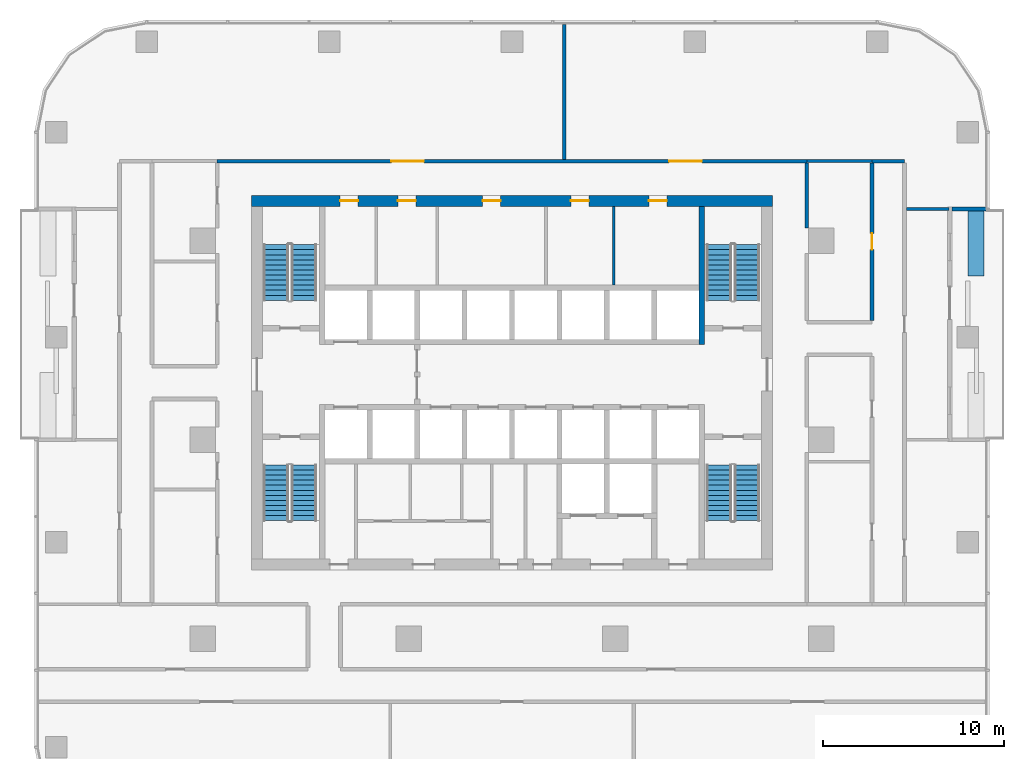
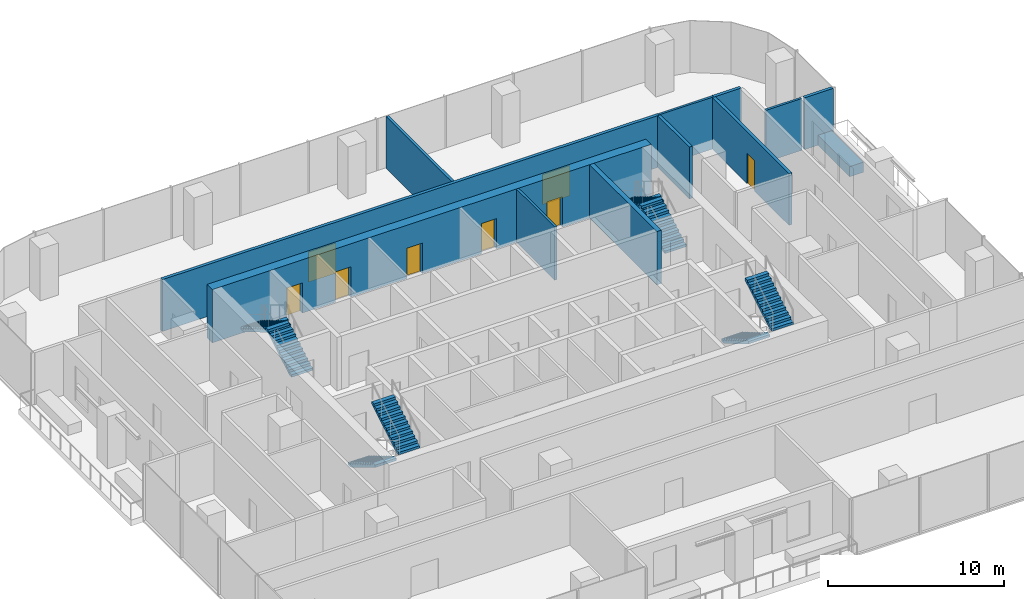
# One storey, part 10 of 14: 12 walls, 8 doors, 8 stair flights, 8 openings, 4 elements without a shape of their own.
"""IFC4 building model written with IfcOpenShell, lengths in metres."""

from ifc_helpers import new_model, si_unit, direction, frame, frame_2d, origin, place, context, subcontext, project, spatial, polyline, rectangle, outline, extrude, material, layer, layer_set, type_object, element, fill, aggregate, save


model = new_model("IFC4")

# Units and contexts
model_context = context("Model", 3, precision=1e-05, world=origin(), true_north=direction((0.0, 1.0)))
body_context = subcontext(model_context, "Body", "Model", "MODEL_VIEW")
ifc_project = project(units=[si_unit("LENGTHUNIT", "METRE"), si_unit("AREAUNIT", "SQUARE_METRE"), si_unit("VOLUMEUNIT", "CUBIC_METRE"), si_unit("PLANEANGLEUNIT", "RADIAN"), si_unit("MASSUNIT", "GRAM", prefix="KILO")], contexts=[model_context])

# Site, building, storey
site_placement = place(None, origin())
site = spatial("IfcSite", under=ifc_project, at=site_placement, CompositionType="ELEMENT")
building_placement = place(site_placement, origin())
building = spatial("IfcBuilding", under=site, at=building_placement, Name="Mopane Tessera Tower", CompositionType="ELEMENT")
storey_placement = place(building_placement, frame((0.0, 0.0, 161.0)))
storey = spatial("IfcBuildingStorey", under=building, at=storey_placement, Name="L32", CompositionType="ELEMENT", Elevation=161.0)

# Wall
ifc_material_1 = material(Name="Fire-rated gypsum board partition")
ifc_layer_1 = layer(ifc_material_1, 0.14990234375)
ifc_layer_set_1 = layer_set([ifc_layer_1], Name="Fire-rated gypsum board partition")
wall_type_1 = type_object("IfcWallType", Name="Core room partition 150 mm", PredefinedType="PARTITIONING", material=ifc_layer_set_1)
wall_1_placement = place(storey_placement, frame((5.625, 8.550048828125, 0.0), z_axis=(0.0, 0.0, 1.0), x_axis=(0.0, 1.0, 0.0)))
element("IfcWall", 1, at=wall_1_placement, inside=storey, type_object=wall_type_1, Name="L32 Room partition", PredefinedType="PARTITIONING", context=body_context, shape_type="SweptSolid", body=[
    extrude(rectangle(XDim=4.349853515625, YDim=0.14990234375, at=frame_2d((2.1748046875, 0.0))), origin(), (0.0, 0.0, 1.0), 3.699951171875),
])

# Wall, openings, doors
ifc_material_2 = material(Name="Concrete C70/85", Category="concrete")
ifc_layer_2 = layer(ifc_material_2, 0.60009765625)
ifc_layer_set_2 = layer_set([ifc_layer_2], Name="Concrete C70/85")
wall_type_2 = type_object("IfcWallType", Name="Core shear wall 600 mm", PredefinedType="SHEAR", material=ifc_layer_set_2)
wall_2_placement = place(storey_placement, frame((-14.39990234375, 13.199951171875, 0.0), z_axis=(0.0, 0.0, 1.0), x_axis=(1.0, 0.0, 0.0)))
wall_2 = element("IfcWall", 2, at=wall_2_placement, inside=storey, type_object=wall_type_2, Name="L32 Core wall north", PredefinedType="SHEAR", context=body_context, shape_type="SweptSolid", body=[
    extrude(rectangle(XDim=28.7998046875, YDim=0.60009765625, at=frame_2d((14.39990234375, 0.0))), origin(), (0.0, 0.0, 1.0), 3.699951171875),
])
opening_1_placement = place(wall_2_placement, frame((4.89990234375, 0.0, 0.0)))
opening_1 = element("IfcOpeningElement", 3, at=opening_1_placement, cuts=wall_2, Name="Opening RD1", PredefinedType="OPENING", context=body_context, shape_type="SweptSolid", body=[
    extrude(rectangle(XDim=1.0, YDim=2.10009765625, at=frame_2d((0.5, 1.050048828125))), frame((0.0, 0.31201171875, 0.0), z_axis=(0.0, -1.0, 0.0), x_axis=(1.0, 0.0, 0.0)), (0.0, 0.0, 1.0), 0.6240234375),
])
opening_2_placement = place(wall_2_placement, frame((8.08740234375, 0.0, 0.0)))
opening_2 = element("IfcOpeningElement", 4, at=opening_2_placement, cuts=wall_2, Name="Opening RD1", PredefinedType="OPENING", context=body_context, shape_type="SweptSolid", body=[
    extrude(rectangle(XDim=1.0, YDim=2.10009765625, at=frame_2d((0.5, 1.050048828125))), frame((0.0, 0.31201171875, 0.0), z_axis=(0.0, -1.0, 0.0), x_axis=(1.0, 0.0, 0.0)), (0.0, 0.0, 1.0), 0.6240234375),
])
opening_3_placement = place(wall_2_placement, frame((12.77490234375, 0.0, 0.0)))
opening_3 = element("IfcOpeningElement", 5, at=opening_3_placement, cuts=wall_2, Name="Opening RD1", PredefinedType="OPENING", context=body_context, shape_type="SweptSolid", body=[
    extrude(rectangle(XDim=1.0, YDim=2.10009765625, at=frame_2d((0.5, 1.050048828125))), frame((0.0, 0.31201171875, 0.0), z_axis=(0.0, -1.0, 0.0), x_axis=(1.0, 0.0, 0.0)), (0.0, 0.0, 1.0), 0.6240234375),
])
opening_4_placement = place(wall_2_placement, frame((17.64990234375, 0.0, 0.0)))
opening_4 = element("IfcOpeningElement", 6, at=opening_4_placement, cuts=wall_2, Name="Opening RD1", PredefinedType="OPENING", context=body_context, shape_type="SweptSolid", body=[
    extrude(rectangle(XDim=1.0, YDim=2.10009765625, at=frame_2d((0.5, 1.050048828125))), frame((0.0, 0.31201171875, 0.0), z_axis=(0.0, -1.0, 0.0), x_axis=(1.0, 0.0, 0.0)), (0.0, 0.0, 1.0), 0.6240234375),
])
opening_5_placement = place(wall_2_placement, frame((21.96240234375, 0.0, 0.0)))
opening_5 = element("IfcOpeningElement", 7, at=opening_5_placement, cuts=wall_2, Name="Opening RD1", PredefinedType="OPENING", context=body_context, shape_type="SweptSolid", body=[
    extrude(rectangle(XDim=1.0, YDim=2.10009765625, at=frame_2d((0.5, 1.050048828125))), frame((0.0, 0.31201171875, 0.0), z_axis=(0.0, -1.0, 0.0), x_axis=(1.0, 0.0, 0.0)), (0.0, 0.0, 1.0), 0.6240234375),
])
ifc_material_3 = material(Name="Timber door", Category="wood")
door_type_1 = type_object("IfcDoorType", Name="Core room door 1000 x 2100", OperationType="SINGLE_SWING_LEFT", PredefinedType="DOOR", material=ifc_material_3)
door_1_placement = place(opening_1_placement, origin())
door_1 = element("IfcDoor", 8, at=door_1_placement, inside=storey, type_object=door_type_1, Name="L32 Room door", OperationType="SINGLE_SWING_LEFT", OverallHeight=2.10009765625, OverallWidth=1.0, PredefinedType="DOOR", context=body_context, shape_type="SweptSolid", body=[
    extrude(rectangle(XDim=1.0, YDim=2.10009765625, at=frame_2d((0.5, 1.050048828125))), frame((0.0, 0.02490234375, 0.0), z_axis=(0.0, -1.0, 0.0), x_axis=(1.0, 0.0, 0.0)), (0.0, 0.0, 1.0), 0.050048828125),
])
fill(opening_1, door_1)
door_2_placement = place(opening_2_placement, origin())
door_2 = element("IfcDoor", 9, at=door_2_placement, inside=storey, type_object=door_type_1, Name="L32 Room door", OperationType="SINGLE_SWING_LEFT", OverallHeight=2.10009765625, OverallWidth=1.0, PredefinedType="DOOR", context=body_context, shape_type="SweptSolid", body=[
    extrude(rectangle(XDim=1.0, YDim=2.10009765625, at=frame_2d((0.5, 1.050048828125))), frame((0.0, 0.02490234375, 0.0), z_axis=(0.0, -1.0, 0.0), x_axis=(1.0, 0.0, 0.0)), (0.0, 0.0, 1.0), 0.050048828125),
])
fill(opening_2, door_2)
door_3_placement = place(opening_3_placement, origin())
door_3 = element("IfcDoor", 10, at=door_3_placement, inside=storey, type_object=door_type_1, Name="L32 Room door", OperationType="SINGLE_SWING_LEFT", OverallHeight=2.10009765625, OverallWidth=1.0, PredefinedType="DOOR", context=body_context, shape_type="SweptSolid", body=[
    extrude(rectangle(XDim=1.0, YDim=2.10009765625, at=frame_2d((0.5, 1.050048828125))), frame((0.0, 0.02490234375, 0.0), z_axis=(0.0, -1.0, 0.0), x_axis=(1.0, 0.0, 0.0)), (0.0, 0.0, 1.0), 0.050048828125),
])
fill(opening_3, door_3)
door_4_placement = place(opening_4_placement, origin())
door_4 = element("IfcDoor", 11, at=door_4_placement, inside=storey, type_object=door_type_1, Name="L32 Room door", OperationType="SINGLE_SWING_LEFT", OverallHeight=2.10009765625, OverallWidth=1.0, PredefinedType="DOOR", context=body_context, shape_type="SweptSolid", body=[
    extrude(rectangle(XDim=1.0, YDim=2.10009765625, at=frame_2d((0.5, 1.050048828125))), frame((0.0, 0.02490234375, 0.0), z_axis=(0.0, -1.0, 0.0), x_axis=(1.0, 0.0, 0.0)), (0.0, 0.0, 1.0), 0.050048828125),
])
fill(opening_4, door_4)
door_5_placement = place(opening_5_placement, origin())
door_5 = element("IfcDoor", 12, at=door_5_placement, inside=storey, type_object=door_type_1, Name="L32 Room door", OperationType="SINGLE_SWING_LEFT", OverallHeight=2.10009765625, OverallWidth=1.0, PredefinedType="DOOR", context=body_context, shape_type="SweptSolid", body=[
    extrude(rectangle(XDim=1.0, YDim=2.10009765625, at=frame_2d((0.5, 1.050048828125))), frame((0.0, 0.02490234375, 0.0), z_axis=(0.0, -1.0, 0.0), x_axis=(1.0, 0.0, 0.0)), (0.0, 0.0, 1.0), 0.050048828125),
])
fill(opening_5, door_5)

# Walls
ifc_material_4 = material(Name="Concrete C60/75", Category="concrete")
ifc_layer_3 = layer(ifc_material_4, 0.300048828125)
ifc_layer_set_3 = layer_set([ifc_layer_3], Name="Concrete C60/75")
wall_type_3 = type_object("IfcWallType", Name="Core spine wall 300 mm", PredefinedType="SHEAR", material=ifc_layer_set_3)
wall_3_placement = place(storey_placement, frame((10.5, 5.25, 0.0), z_axis=(0.0, 0.0, 1.0), x_axis=(0.0, 1.0, 0.0)))
element("IfcWall", 13, at=wall_3_placement, inside=storey, type_object=wall_type_3, Name="L32 Core spine wall", PredefinedType="SHEAR", context=body_context, shape_type="SweptSolid", body=[
    extrude(rectangle(XDim=7.64990234375, YDim=0.300048828125, at=frame_2d((3.824951171875, 0.0))), origin(), (0.0, 0.0, 1.0), 3.699951171875),
])
ifc_material_5 = material(Name="Gypsum board on staggered steel studs, double layer each face, acoustic mineral wool infill", Category="steel")
ifc_layer_4 = layer(ifc_material_5, 0.175048828125)
ifc_layer_set_4 = layer_set([ifc_layer_4], Name="Gypsum board on staggered steel studs, double layer each face, acoustic mineral wool infill")
wall_type_4 = type_object("IfcWallType", Name="Gypsum board acoustic partition 175, rated EI 60", PredefinedType="PARTITIONING", material=ifc_layer_set_4)
wall_4_placement = place(storey_placement, frame((2.885009765625, 15.5, 0.0), z_axis=(0.0, 0.0, 1.0), x_axis=(0.0, 1.0, 0.0)))
element("IfcWall", 14, at=wall_4_placement, inside=storey, type_object=wall_type_4, Name="Partition L32:037", PredefinedType="PARTITIONING", context=body_context, shape_type="SweptSolid", body=[
    extrude(rectangle(XDim=7.449951171875, YDim=0.175048828125, at=frame_2d((3.72509765625, 0.0))), origin(), (0.0, 0.0, 1.0), 3.60009765625),
])

# Wall, openings, doors
ifc_material_6 = material(Name="Gypsum board on steel studs, two layers each face, mineral wool infill", Category="steel")
ifc_layer_5 = layer(ifc_material_6, 0.199951171875)
ifc_layer_set_5 = layer_set([ifc_layer_5], Name="Gypsum board on steel studs, two layers each face, mineral wool infill")
wall_type_5 = type_object("IfcWallType", Name="Gypsum board corridor wall 200, rated EI 60", PredefinedType="PARTITIONING", material=ifc_layer_set_5)
wall_5_placement = place(storey_placement, frame((-16.300048828125, 15.39990234375, 0.0), z_axis=(0.0, 0.0, 1.0), x_axis=(1.0, 0.0, 0.0)))
wall_5 = element("IfcWall", 15, at=wall_5_placement, inside=storey, type_object=wall_type_5, Name="Partition L32:025", PredefinedType="PARTITIONING", context=body_context, shape_type="SweptSolid", body=[
    extrude(rectangle(XDim=32.60009765625, YDim=0.199951171875, at=frame_2d((16.300048828125, 0.0))), origin(), (0.0, 0.0, 1.0), 3.60009765625),
])
opening_6_placement = place(wall_5_placement, frame((24.992431640625, 0.0, 0.0)))
opening_6 = element("IfcOpeningElement", 16, at=opening_6_placement, cuts=wall_5, Name="Opening L32-06", PredefinedType="OPENING", context=body_context, shape_type="SweptSolid", body=[
    extrude(rectangle(XDim=1.800048828125, YDim=2.10009765625, at=frame_2d((0.89990234375, 1.050048828125))), frame((0.0, 0.112060546875, 0.0), z_axis=(0.0, -1.0, 0.0), x_axis=(1.0, 0.0, 0.0)), (0.0, 0.0, 1.0), 0.223876953125),
])
opening_7_placement = place(wall_5_placement, frame((9.635009765625, 0.0, 0.0)))
opening_7 = element("IfcOpeningElement", 17, at=opening_7_placement, cuts=wall_5, Name="Opening L32-17", PredefinedType="OPENING", context=body_context, shape_type="SweptSolid", body=[
    extrude(rectangle(XDim=1.800048828125, YDim=2.10009765625, at=frame_2d((0.89990234375, 1.050048828125))), frame((0.0, 0.112060546875, 0.0), z_axis=(0.0, -1.0, 0.0), x_axis=(1.0, 0.0, 0.0)), (0.0, 0.0, 1.0), 0.223876953125),
])
ifc_material_7 = material(Name="Timber veneered steel-framed fire door", Category="steel")
door_type_2 = type_object("IfcDoorType", Name="Fire door pair FD60 1800 x 2100", OperationType="DOUBLE_DOOR_SINGLE_SWING", PredefinedType="DOOR", material=ifc_material_7)
door_6_placement = place(opening_6_placement, origin())
door_6 = element("IfcDoor", 18, at=door_6_placement, inside=storey, type_object=door_type_2, Name="Door L32-06", ObjectType="D20A", OperationType="DOUBLE_DOOR_SINGLE_SWING", OverallHeight=2.10009765625, OverallWidth=1.800048828125, PredefinedType="DOOR", context=body_context, shape_type="SweptSolid", body=[
    extrude(rectangle(XDim=1.800048828125, YDim=2.10009765625, at=frame_2d((0.89990234375, 1.050048828125))), frame((0.0, 0.02490234375, 0.0), z_axis=(0.0, -1.0, 0.0), x_axis=(1.0, 0.0, 0.0)), (0.0, 0.0, 1.0), 0.050048828125),
])
fill(opening_6, door_6)
door_7_placement = place(opening_7_placement, origin())
door_7 = element("IfcDoor", 19, at=door_7_placement, inside=storey, type_object=door_type_2, Name="Door L32-17", ObjectType="D20A", OperationType="DOUBLE_DOOR_SINGLE_SWING", OverallHeight=2.10009765625, OverallWidth=1.800048828125, PredefinedType="DOOR", context=body_context, shape_type="SweptSolid", body=[
    extrude(rectangle(XDim=1.800048828125, YDim=2.10009765625, at=frame_2d((0.89990234375, 1.050048828125))), frame((0.0, 0.02490234375, 0.0), z_axis=(0.0, -1.0, 0.0), x_axis=(1.0, 0.0, 0.0)), (0.0, 0.0, 1.0), 0.050048828125),
])
fill(opening_7, door_7)

# Walls
wall_6_placement = place(storey_placement, frame((19.89990234375, 15.39990234375, 0.0), z_axis=(0.0, 0.0, 1.0), x_axis=(1.0, 0.0, 0.0)))
element("IfcWall", 20, at=wall_6_placement, inside=storey, type_object=wall_type_5, Name="Partition L32:026", PredefinedType="PARTITIONING", context=body_context, shape_type="SweptSolid", body=[
    extrude(rectangle(XDim=1.800048828125, YDim=0.199951171875, at=frame_2d((0.89990234375, 0.0))), origin(), (0.0, 0.0, 1.0), 3.60009765625),
])
wall_7_placement = place(storey_placement, frame((16.300048828125, 11.699951171875, 0.0), z_axis=(0.0, 0.0, 1.0), x_axis=(0.0, 1.0, 0.0)))
element("IfcWall", 21, at=wall_7_placement, inside=storey, type_object=wall_type_5, Name="Partition L32:042", PredefinedType="PARTITIONING", context=body_context, shape_type="SweptSolid", body=[
    extrude(rectangle(XDim=3.60009765625, YDim=0.199951171875, at=frame_2d((1.800048828125, 0.0))), origin(), (0.0, 0.0, 1.0), 3.60009765625),
])

# Wall, opening, door
wall_8_placement = place(storey_placement, frame((19.89990234375, 6.60009765625, 0.0), z_axis=(0.0, 0.0, 1.0), x_axis=(0.0, 1.0, 0.0)))
wall_8 = element("IfcWall", 22, at=wall_8_placement, inside=storey, type_object=wall_type_5, Name="Partition L32:044", PredefinedType="PARTITIONING", context=body_context, shape_type="SweptSolid", body=[
    extrude(rectangle(XDim=8.699951171875, YDim=0.199951171875, at=frame_2d((4.35009765625, 0.0))), origin(), (0.0, 0.0, 1.0), 3.60009765625),
])
opening_8_placement = place(wall_8_placement, frame((3.89990234375, 0.0, 0.0)))
opening_8 = element("IfcOpeningElement", 23, at=opening_8_placement, cuts=wall_8, Name="Opening L32-12", PredefinedType="OPENING", context=body_context, shape_type="SweptSolid", body=[
    extrude(rectangle(XDim=0.89990234375, YDim=2.10009765625, at=frame_2d((0.449951171875, 1.050048828125))), frame((0.0, 0.112060546875, 0.0), z_axis=(0.0, -1.0, 0.0), x_axis=(1.0, 0.0, 0.0)), (0.0, 0.0, 1.0), 0.223876953125),
])
ifc_material_8 = material(Name="Timber veneered steel-framed fire door", Category="steel")
door_type_3 = type_object("IfcDoorType", Name="Fire door FD60 900 x 2100", OperationType="SINGLE_SWING_LEFT", PredefinedType="DOOR", material=ifc_material_8)
door_8_placement = place(opening_8_placement, origin())
door_8 = element("IfcDoor", 24, at=door_8_placement, inside=storey, type_object=door_type_3, Name="Door L32-12", ObjectType="D10A", OperationType="SINGLE_SWING_LEFT", OverallHeight=2.10009765625, OverallWidth=0.89990234375, PredefinedType="DOOR", context=body_context, shape_type="SweptSolid", body=[
    extrude(rectangle(XDim=0.89990234375, YDim=2.10009765625, at=frame_2d((0.449951171875, 1.050048828125))), frame((0.0, 0.02490234375, 0.0), z_axis=(0.0, -1.0, 0.0), x_axis=(1.0, 0.0, 0.0)), (0.0, 0.0, 1.0), 0.050048828125),
])
fill(opening_8, door_8)

# Walls
ifc_material_9 = material(Name="Gypsum board on steel studs, mineral wool infill", Category="steel")
ifc_layer_6 = layer(ifc_material_9, 0.14990234375)
ifc_layer_set_6 = layer_set([ifc_layer_6], Name="Gypsum board on steel studs, mineral wool infill")
wall_type_6 = type_object("IfcWallType", Name="Gypsum board partition 150, rated EI 60", PredefinedType="PARTITIONING", material=ifc_layer_set_6)
wall_9_placement = place(storey_placement, frame((21.800048828125, 12.75, 0.0), z_axis=(0.0, 0.0, 1.0), x_axis=(1.0, 0.0, 0.0)))
element("IfcWall", 25, at=wall_9_placement, inside=storey, type_object=wall_type_6, Name="Partition L32:020", PredefinedType="PARTITIONING", context=body_context, shape_type="SweptSolid", body=[
    extrude(rectangle(XDim=2.349853515625, YDim=0.14990234375, at=frame_2d((1.1748046875, 0.0))), origin(), (0.0, 0.0, 1.0), 3.60009765625),
])
wall_10_placement = place(storey_placement, frame((16.300048828125, 15.39990234375, 0.0), z_axis=(0.0, 0.0, 1.0), x_axis=(1.0, 0.0, 0.0)))
element("IfcWall", 26, at=wall_10_placement, inside=storey, type_object=wall_type_6, Name="Partition L32:022", PredefinedType="PARTITIONING", context=body_context, shape_type="SweptSolid", body=[
    extrude(rectangle(XDim=3.599853515625, YDim=0.14990234375, at=frame_2d((1.7998046875, 0.0))), origin(), (0.0, 0.0, 1.0), 3.60009765625),
])
ifc_material_10 = material(Name="Reinforced concrete C32/40 with waterproofing", Category="concrete")
ifc_layer_7 = layer(ifc_material_10, 0.89990234375)
ifc_layer_set_7 = layer_set([ifc_layer_7], Name="Reinforced concrete C32/40 with waterproofing")
wall_type_7 = type_object("IfcWallType", Name="Planter trough 3600 x 900", PredefinedType="STANDARD", material=ifc_layer_set_7)
wall_11_placement = place(storey_placement, frame((25.64990234375, 9.050048828125, 0.0), z_axis=(0.0, 0.0, 1.0), x_axis=(0.0, 1.0, 0.0)))
element("IfcWall", 27, at=wall_11_placement, inside=storey, type_object=wall_type_7, Name="e:nw:L32:N3:pl1", PredefinedType="STANDARD", context=body_context, shape_type="SweptSolid", body=[
    extrude(rectangle(XDim=3.599853515625, YDim=0.89990234375, at=frame_2d((1.7998046875, 0.0))), origin(), (0.0, 0.0, 1.0), 0.699951171875),
])
ifc_material_11 = material(Name="Blockwork with glazed tile facing", Category="masonry")
ifc_layer_8 = layer(ifc_material_11, 0.199951171875)
ifc_layer_set_8 = layer_set([ifc_layer_8], Name="Blockwork with glazed tile facing")
wall_type_8 = type_object("IfcWallType", Name="Terrace cheek wall 200", PredefinedType="STANDARD", material=ifc_layer_set_8)
wall_12_placement = place(storey_placement, frame((26.199951171875, 12.75, 0.0), z_axis=(0.0, 0.0, 1.0), x_axis=(-1.0, 0.0, 0.0)))
element("IfcWall", 28, at=wall_12_placement, inside=storey, type_object=wall_type_8, Name="e:nw:L32:N3:cheekb", PredefinedType="STANDARD", context=body_context, shape_type="SweptSolid", body=[
    extrude(rectangle(XDim=1.875, YDim=0.199951171875, at=frame_2d((0.9375, 0.0))), origin(), (0.0, 0.0, 1.0), 3.60009765625),
])

# Stair, stair flights
ifc_material_12 = material(Name="Concrete C50/60", Category="concrete")
stair_type = type_object("IfcStairType", Name="Escape stair 1400 mm, riser 167 mm", PredefinedType="HALF_TURN_STAIR", material=ifc_material_12)
stair_1_placement = place(storey_placement, origin())
stair_1 = element("IfcStair", 29, at=stair_1_placement, inside=storey, type_object=stair_type, Name="L32 Escape stair south-west", PredefinedType="HALF_TURN_STAIR")
ifc_material_13 = material(Name="Concrete C50/60", Category="concrete")
stair_flight_type = type_object("IfcStairFlightType", Name="Escape stair flight 1400 mm", PredefinedType="STRAIGHT", material=ifc_material_13)
stair_flight_1_placement = place(storey_placement, frame((-13.050048828125, -1.39990234375, 0.0), z_axis=(0.0, 0.0, 1.0), x_axis=(0.0, -1.0, 0.0)))
stair_flight_1 = element("IfcStairFlight", 30, at=stair_flight_1_placement, type_object=stair_flight_type, Name="ST1 flight 1", NumberOfRisers=12, NumberOfTreads=11, PredefinedType="STRAIGHT", RiserHeight=0.166666667, TreadLength=0.28, context=body_context, shape_type="SweptSolid", body=[
    extrude(outline(polyline([(0.0, 0.0), (0.0, 0.166748046875), (0.280029296875, 0.166748046875), (0.280029296875, 0.333251953125), (0.56005859375, 0.333251953125), (0.56005859375, 0.5), (0.840087890625, 0.5), (0.840087890625, 0.666748046875), (1.1201171875, 0.666748046875), (1.1201171875, 0.833251953125), (1.39990234375, 0.833251953125), (1.39990234375, 1.0), (1.679931640625, 1.0), (1.679931640625, 1.166748046875), (1.9599609375, 1.166748046875), (1.9599609375, 1.333251953125), (2.239990234375, 1.333251953125), (2.239990234375, 1.5), (2.52001953125, 1.5), (2.52001953125, 1.666748046875), (2.800048828125, 1.666748046875), (2.800048828125, 1.833251953125), (3.080078125, 1.833251953125), (3.080078125, 2.0), (3.080078125, 1.658935546875), (0.29296875, 0.0), (0.0, 0.0)])), frame((0.0, 0.699951171875, 0.0), z_axis=(0.0, -1.0, 0.0), x_axis=(1.0, 0.0, 0.0)), (0.0, 0.0, 1.0), 1.39990234375),
])
stair_flight_2_placement = place(storey_placement, frame((-11.5, -4.47998046875, 2.0), z_axis=(0.0, 0.0, 1.0), x_axis=(0.0, 1.0, 0.0)))
stair_flight_2 = element("IfcStairFlight", 31, at=stair_flight_2_placement, type_object=stair_flight_type, Name="ST1 flight 2", NumberOfRisers=12, NumberOfTreads=11, PredefinedType="STRAIGHT", RiserHeight=0.166666667, TreadLength=0.28, context=body_context, shape_type="SweptSolid", body=[
    extrude(outline(polyline([(0.0, 0.0), (0.0, 0.166748046875), (0.280029296875, 0.166748046875), (0.280029296875, 0.333251953125), (0.56005859375, 0.333251953125), (0.56005859375, 0.5), (0.840087890625, 0.5), (0.840087890625, 0.666748046875), (1.1201171875, 0.666748046875), (1.1201171875, 0.833251953125), (1.39990234375, 0.833251953125), (1.39990234375, 1.0), (1.679931640625, 1.0), (1.679931640625, 1.166748046875), (1.9599609375, 1.166748046875), (1.9599609375, 1.333251953125), (2.239990234375, 1.333251953125), (2.239990234375, 1.5), (2.52001953125, 1.5), (2.52001953125, 1.666748046875), (2.800048828125, 1.666748046875), (2.800048828125, 1.833251953125), (3.080078125, 1.833251953125), (3.080078125, 2.0), (3.080078125, 1.658935546875), (0.29296875, 0.0), (0.0, 0.0)])), frame((0.0, 0.699951171875, 0.0), z_axis=(0.0, -1.0, 0.0), x_axis=(1.0, 0.0, 0.0)), (0.0, 0.0, 1.0), 1.39990234375),
])
aggregate(stair_1, [stair_flight_1, stair_flight_2])

stair_2_placement = place(storey_placement, origin())
stair_2 = element("IfcStair", 32, at=stair_2_placement, inside=storey, type_object=stair_type, Name="L32 Escape stair north-west", PredefinedType="HALF_TURN_STAIR")
stair_flight_3_placement = place(storey_placement, frame((-11.5, 7.699951171875, 0.0), z_axis=(0.0, 0.0, 1.0), x_axis=(0.0, 1.0, 0.0)))
stair_flight_3 = element("IfcStairFlight", 33, at=stair_flight_3_placement, type_object=stair_flight_type, Name="ST2 flight 1", NumberOfRisers=12, NumberOfTreads=11, PredefinedType="STRAIGHT", RiserHeight=0.166666667, TreadLength=0.28, context=body_context, shape_type="SweptSolid", body=[
    extrude(outline(polyline([(0.0, 0.0), (0.0, 0.166748046875), (0.280029296875, 0.166748046875), (0.280029296875, 0.333251953125), (0.56005859375, 0.333251953125), (0.56005859375, 0.5), (0.840087890625, 0.5), (0.840087890625, 0.666748046875), (1.1201171875, 0.666748046875), (1.1201171875, 0.833251953125), (1.39990234375, 0.833251953125), (1.39990234375, 1.0), (1.679931640625, 1.0), (1.679931640625, 1.166748046875), (1.9599609375, 1.166748046875), (1.9599609375, 1.333251953125), (2.239990234375, 1.333251953125), (2.239990234375, 1.5), (2.52001953125, 1.5), (2.52001953125, 1.666748046875), (2.800048828125, 1.666748046875), (2.800048828125, 1.833251953125), (3.080078125, 1.833251953125), (3.080078125, 2.0), (3.080078125, 1.658935546875), (0.29296875, 0.0), (0.0, 0.0)])), frame((0.0, 0.699951171875, 0.0), z_axis=(0.0, -1.0, 0.0), x_axis=(1.0, 0.0, 0.0)), (0.0, 0.0, 1.0), 1.39990234375),
])
stair_flight_4_placement = place(storey_placement, frame((-13.050048828125, 10.780029296875, 2.0), z_axis=(0.0, 0.0, 1.0), x_axis=(0.0, -1.0, 0.0)))
stair_flight_4 = element("IfcStairFlight", 34, at=stair_flight_4_placement, type_object=stair_flight_type, Name="ST2 flight 2", NumberOfRisers=12, NumberOfTreads=11, PredefinedType="STRAIGHT", RiserHeight=0.166666667, TreadLength=0.28, context=body_context, shape_type="SweptSolid", body=[
    extrude(outline(polyline([(0.0, 0.0), (0.0, 0.166748046875), (0.280029296875, 0.166748046875), (0.280029296875, 0.333251953125), (0.56005859375, 0.333251953125), (0.56005859375, 0.5), (0.840087890625, 0.5), (0.840087890625, 0.666748046875), (1.1201171875, 0.666748046875), (1.1201171875, 0.833251953125), (1.39990234375, 0.833251953125), (1.39990234375, 1.0), (1.679931640625, 1.0), (1.679931640625, 1.166748046875), (1.9599609375, 1.166748046875), (1.9599609375, 1.333251953125), (2.239990234375, 1.333251953125), (2.239990234375, 1.5), (2.52001953125, 1.5), (2.52001953125, 1.666748046875), (2.800048828125, 1.666748046875), (2.800048828125, 1.833251953125), (3.080078125, 1.833251953125), (3.080078125, 2.0), (3.080078125, 1.658935546875), (0.29296875, 0.0), (0.0, 0.0)])), frame((0.0, 0.699951171875, 0.0), z_axis=(0.0, -1.0, 0.0), x_axis=(1.0, 0.0, 0.0)), (0.0, 0.0, 1.0), 1.39990234375),
])
aggregate(stair_2, [stair_flight_3, stair_flight_4])

stair_3_placement = place(storey_placement, origin())
stair_3 = element("IfcStair", 35, at=stair_3_placement, inside=storey, type_object=stair_type, Name="L32 Escape stair south-east", PredefinedType="HALF_TURN_STAIR")
stair_flight_5_placement = place(storey_placement, frame((11.449951171875, -1.39990234375, 0.0), z_axis=(0.0, 0.0, 1.0), x_axis=(0.0, -1.0, 0.0)))
stair_flight_5 = element("IfcStairFlight", 36, at=stair_flight_5_placement, type_object=stair_flight_type, Name="ST3 flight 1", NumberOfRisers=12, NumberOfTreads=11, PredefinedType="STRAIGHT", RiserHeight=0.166666667, TreadLength=0.28, context=body_context, shape_type="SweptSolid", body=[
    extrude(outline(polyline([(0.0, 0.0), (0.0, 0.166748046875), (0.280029296875, 0.166748046875), (0.280029296875, 0.333251953125), (0.56005859375, 0.333251953125), (0.56005859375, 0.5), (0.840087890625, 0.5), (0.840087890625, 0.666748046875), (1.1201171875, 0.666748046875), (1.1201171875, 0.833251953125), (1.39990234375, 0.833251953125), (1.39990234375, 1.0), (1.679931640625, 1.0), (1.679931640625, 1.166748046875), (1.9599609375, 1.166748046875), (1.9599609375, 1.333251953125), (2.239990234375, 1.333251953125), (2.239990234375, 1.5), (2.52001953125, 1.5), (2.52001953125, 1.666748046875), (2.800048828125, 1.666748046875), (2.800048828125, 1.833251953125), (3.080078125, 1.833251953125), (3.080078125, 2.0), (3.080078125, 1.658935546875), (0.29296875, 0.0), (0.0, 0.0)])), frame((0.0, 0.699951171875, 0.0), z_axis=(0.0, -1.0, 0.0), x_axis=(1.0, 0.0, 0.0)), (0.0, 0.0, 1.0), 1.39990234375),
])
stair_flight_6_placement = place(storey_placement, frame((13.0, -4.47998046875, 2.0), z_axis=(0.0, 0.0, 1.0), x_axis=(0.0, 1.0, 0.0)))
stair_flight_6 = element("IfcStairFlight", 37, at=stair_flight_6_placement, type_object=stair_flight_type, Name="ST3 flight 2", NumberOfRisers=12, NumberOfTreads=11, PredefinedType="STRAIGHT", RiserHeight=0.166666667, TreadLength=0.28, context=body_context, shape_type="SweptSolid", body=[
    extrude(outline(polyline([(0.0, 0.0), (0.0, 0.166748046875), (0.280029296875, 0.166748046875), (0.280029296875, 0.333251953125), (0.56005859375, 0.333251953125), (0.56005859375, 0.5), (0.840087890625, 0.5), (0.840087890625, 0.666748046875), (1.1201171875, 0.666748046875), (1.1201171875, 0.833251953125), (1.39990234375, 0.833251953125), (1.39990234375, 1.0), (1.679931640625, 1.0), (1.679931640625, 1.166748046875), (1.9599609375, 1.166748046875), (1.9599609375, 1.333251953125), (2.239990234375, 1.333251953125), (2.239990234375, 1.5), (2.52001953125, 1.5), (2.52001953125, 1.666748046875), (2.800048828125, 1.666748046875), (2.800048828125, 1.833251953125), (3.080078125, 1.833251953125), (3.080078125, 2.0), (3.080078125, 1.658935546875), (0.29296875, 0.0), (0.0, 0.0)])), frame((0.0, 0.699951171875, 0.0), z_axis=(0.0, -1.0, 0.0), x_axis=(1.0, 0.0, 0.0)), (0.0, 0.0, 1.0), 1.39990234375),
])
aggregate(stair_3, [stair_flight_5, stair_flight_6])

stair_4_placement = place(storey_placement, origin())
stair_4 = element("IfcStair", 38, at=stair_4_placement, inside=storey, type_object=stair_type, Name="L32 Escape stair north-east", PredefinedType="HALF_TURN_STAIR")
stair_flight_7_placement = place(storey_placement, frame((13.0, 7.699951171875, 0.0), z_axis=(0.0, 0.0, 1.0), x_axis=(0.0, 1.0, 0.0)))
stair_flight_7 = element("IfcStairFlight", 39, at=stair_flight_7_placement, type_object=stair_flight_type, Name="ST4 flight 1", NumberOfRisers=12, NumberOfTreads=11, PredefinedType="STRAIGHT", RiserHeight=0.166666667, TreadLength=0.28, context=body_context, shape_type="SweptSolid", body=[
    extrude(outline(polyline([(0.0, 0.0), (0.0, 0.166748046875), (0.280029296875, 0.166748046875), (0.280029296875, 0.333251953125), (0.56005859375, 0.333251953125), (0.56005859375, 0.5), (0.840087890625, 0.5), (0.840087890625, 0.666748046875), (1.1201171875, 0.666748046875), (1.1201171875, 0.833251953125), (1.39990234375, 0.833251953125), (1.39990234375, 1.0), (1.679931640625, 1.0), (1.679931640625, 1.166748046875), (1.9599609375, 1.166748046875), (1.9599609375, 1.333251953125), (2.239990234375, 1.333251953125), (2.239990234375, 1.5), (2.52001953125, 1.5), (2.52001953125, 1.666748046875), (2.800048828125, 1.666748046875), (2.800048828125, 1.833251953125), (3.080078125, 1.833251953125), (3.080078125, 2.0), (3.080078125, 1.658935546875), (0.29296875, 0.0), (0.0, 0.0)])), frame((0.0, 0.699951171875, 0.0), z_axis=(0.0, -1.0, 0.0), x_axis=(1.0, 0.0, 0.0)), (0.0, 0.0, 1.0), 1.39990234375),
])
stair_flight_8_placement = place(storey_placement, frame((11.449951171875, 10.780029296875, 2.0), z_axis=(0.0, 0.0, 1.0), x_axis=(0.0, -1.0, 0.0)))
stair_flight_8 = element("IfcStairFlight", 40, at=stair_flight_8_placement, type_object=stair_flight_type, Name="ST4 flight 2", NumberOfRisers=12, NumberOfTreads=11, PredefinedType="STRAIGHT", RiserHeight=0.166666667, TreadLength=0.28, context=body_context, shape_type="SweptSolid", body=[
    extrude(outline(polyline([(0.0, 0.0), (0.0, 0.166748046875), (0.280029296875, 0.166748046875), (0.280029296875, 0.333251953125), (0.56005859375, 0.333251953125), (0.56005859375, 0.5), (0.840087890625, 0.5), (0.840087890625, 0.666748046875), (1.1201171875, 0.666748046875), (1.1201171875, 0.833251953125), (1.39990234375, 0.833251953125), (1.39990234375, 1.0), (1.679931640625, 1.0), (1.679931640625, 1.166748046875), (1.9599609375, 1.166748046875), (1.9599609375, 1.333251953125), (2.239990234375, 1.333251953125), (2.239990234375, 1.5), (2.52001953125, 1.5), (2.52001953125, 1.666748046875), (2.800048828125, 1.666748046875), (2.800048828125, 1.833251953125), (3.080078125, 1.833251953125), (3.080078125, 2.0), (3.080078125, 1.658935546875), (0.29296875, 0.0), (0.0, 0.0)])), frame((0.0, 0.699951171875, 0.0), z_axis=(0.0, -1.0, 0.0), x_axis=(1.0, 0.0, 0.0)), (0.0, 0.0, 1.0), 1.39990234375),
])
aggregate(stair_4, [stair_flight_7, stair_flight_8])

save(model, "model.ifc")
